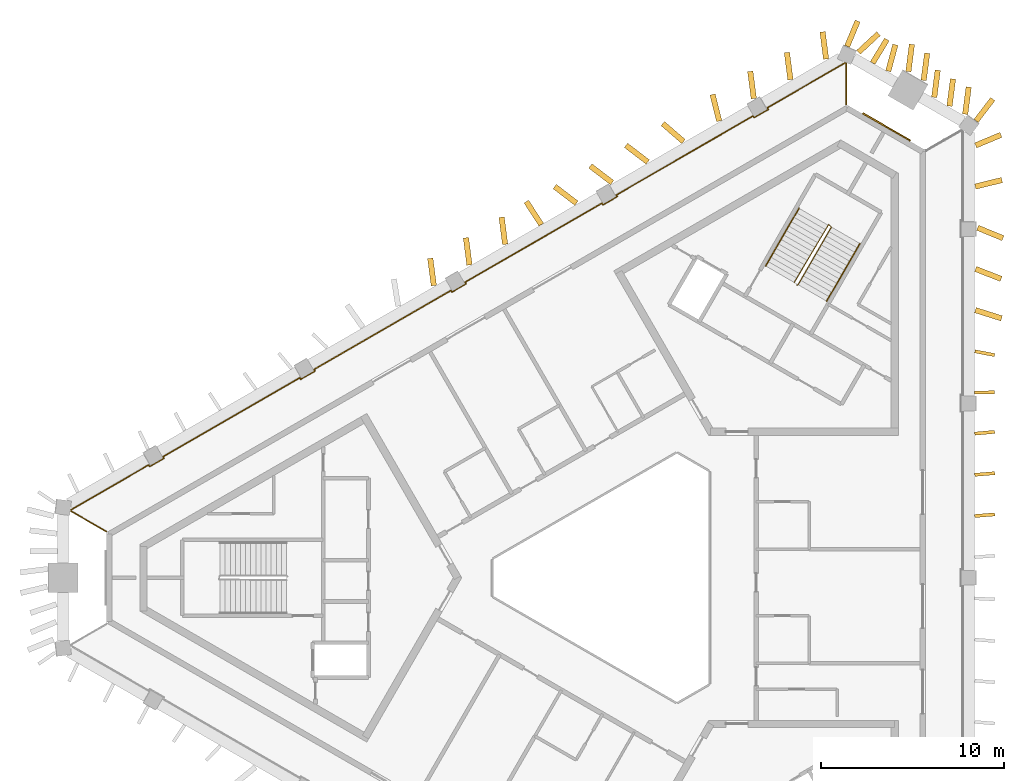
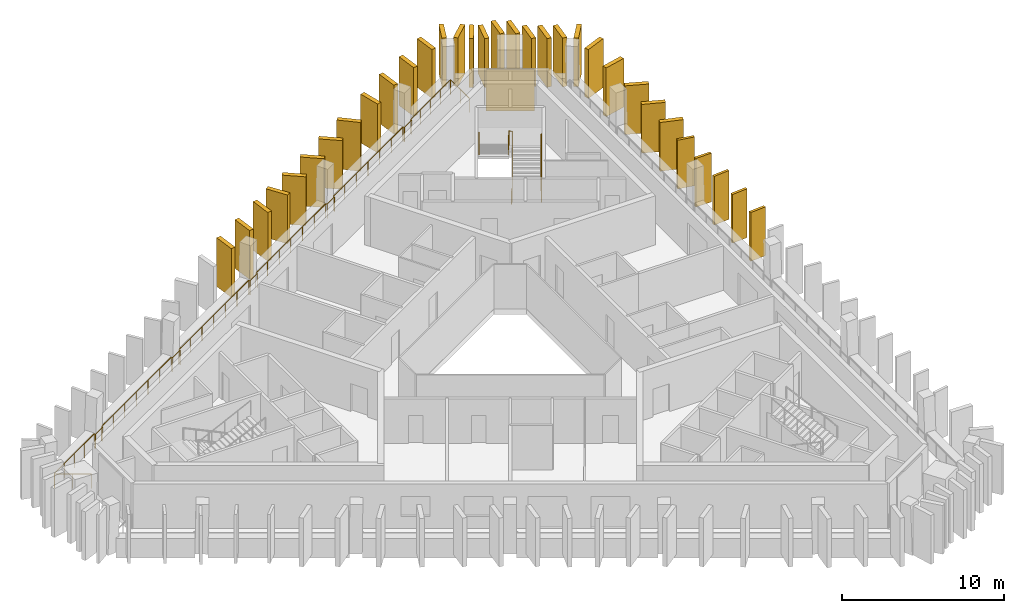
# One storey, part 8 of 8: 32 shading devices, 4 railings, 1 covering.
"""IFC4 building model written with IfcOpenShell, lengths in metres."""

from ifc_helpers import new_model, si_unit, direction, frame, frame_2d, origin, origin_2d, place, context, subcontext, project, spatial, rectangle, circle, extrude, material, layer, layer_set, type_object, element, save


model = new_model("IFC4")

# Units and contexts
model_context = context("Model", 3, precision=1e-05, world=origin(), true_north=direction((0.0, 1.0)))
body_context = subcontext(model_context, "Body", "Model", "MODEL_VIEW")
ifc_project = project(units=[si_unit("LENGTHUNIT", "METRE"), si_unit("AREAUNIT", "SQUARE_METRE"), si_unit("VOLUMEUNIT", "CUBIC_METRE"), si_unit("PLANEANGLEUNIT", "RADIAN"), si_unit("MASSUNIT", "GRAM", prefix="KILO")], contexts=[model_context])

# Site, building, storey
site_placement = place(None, origin())
site = spatial("IfcSite", under=ifc_project, at=site_placement, CompositionType="ELEMENT")
building_placement = place(site_placement, origin())
building = spatial("IfcBuilding", under=site, at=building_placement, Name="Jabali Bay Hotel Tower and Convention Centre", CompositionType="ELEMENT")
storey_placement = place(building_placement, frame((0.0, 0.0, 292.300048828125)))
storey = spatial("IfcBuildingStorey", under=building, at=storey_placement, Name="L72", CompositionType="ELEMENT", Elevation=292.300048828125)

# Railing
ifc_material_1 = material(Name="Glass", Category="glass")
railing_type_1 = type_object("IfcRailingType", Name="Loggia glass guard 1100", PredefinedType="BALUSTRADE", material=ifc_material_1)
railing_1_placement = place(storey_placement, frame((46.569091796875, 82.527587890625, 0.0)))
element("IfcRailing", 1, at=railing_1_placement, inside=storey, type_object=railing_type_1, Name="Loggia glass guard L72", PredefinedType="BALUSTRADE", context=body_context, shape_type="SweptSolid", body=[
    extrude(circle(Radius=0.02490234375, at=origin_2d()), frame((0.0, 0.0, 1.0751953125), z_axis=(-0.865989003036, 0.500063042646, 0.0), x_axis=(-0.495784933994, -0.858580347067, 0.13052619222)), (0.0, 0.0, 1.0), 2.275146484375),
    extrude(circle(Radius=0.02490234375, at=origin_2d()), frame((-1.97021484375, 1.1376953125, 1.0751953125), z_axis=(0.124843395554, 0.9921764594, 0.0), x_axis=(-0.983688252248, 0.123775342998, 0.13052619222)), (0.0, 0.0, 1.0), 0.037109375),
    extrude(circle(Radius=0.02490234375, at=origin_2d()), frame((-1.965576171875, 1.174560546875, 1.0751953125), z_axis=(0.866031611973, 0.499989246947, 0.0), x_axis=(-0.495711769628, 0.858622591478, 0.13052619222)), (0.0, 0.0, 1.0), 4.9375),
    extrude(circle(Radius=0.02490234375, at=origin_2d()), frame((2.310546875, 3.643310546875, 1.0751953125), z_axis=(0.501132629342, -0.865370491644, 0.0), x_axis=(0.857967127125, 0.496845370228, 0.13052619222)), (0.0, 0.0, 1.0), 0.099853515625),
    extrude(circle(Radius=0.02490234375, at=origin_2d()), frame((2.360595703125, 3.556884765625, 1.0751953125), z_axis=(0.866013897511, 0.50001992892, 0.0), x_axis=(-0.495742189112, 0.858605028566, 0.13052619222)), (0.0, 0.0, 1.0), 0.89990234375),
    extrude(circle(Radius=0.02490234375, at=origin_2d()), frame((3.139892578125, 4.0068359375, 1.0751953125), z_axis=(-0.500074377092, 0.865982457891, 0.0), x_axis=(-0.858573857916, -0.495796171473, 0.13052619222)), (0.0, 0.0, 1.0), 0.10009765625),
    extrude(circle(Radius=0.02490234375, at=origin_2d()), frame((3.08984375, 4.093505859375, 1.0751953125), z_axis=(0.866030352146, 0.499991429088, 0.0), x_axis=(-0.4957139331, 0.858621342429, 0.13052619222)), (0.0, 0.0, 1.0), 8.642822265625),
    extrude(circle(Radius=0.02490234375, at=origin_2d()), frame((10.57470703125, 8.414794921875, 1.0751953125), z_axis=(0.500074377092, -0.865982457891, 0.0), x_axis=(0.858573857916, 0.495796171473, 0.13052619222)), (0.0, 0.0, 1.0), 0.10009765625),
    extrude(circle(Radius=0.02490234375, at=origin_2d()), frame((10.624755859375, 8.328125, 1.0751953125), z_axis=(0.866081705922, 0.499902469156, 0.0), x_axis=(-0.495625734232, 0.858672256866, 0.13052619222)), (0.0, 0.0, 1.0), 0.900146484375),
    extrude(circle(Radius=0.02490234375, at=origin_2d()), frame((11.404296875, 8.778076171875, 1.0751953125), z_axis=(-0.500074377092, 0.865982457891, 0.0), x_axis=(-0.858573857916, -0.495796171473, 0.13052619222)), (0.0, 0.0, 1.0), 0.10009765625),
    extrude(circle(Radius=0.02490234375, at=origin_2d()), frame((11.354248046875, 8.86474609375, 1.0751953125), z_axis=(0.866023290103, 0.500003660985, 0.0), x_axis=(-0.495726060352, 0.858614340803, 0.13052619222)), (0.0, 0.0, 1.0), 8.642578125),
    extrude(circle(Radius=0.02490234375, at=origin_2d()), frame((18.8388671875, 13.18603515625, 1.0751953125), z_axis=(0.501132629342, -0.865370491644, 0.0), x_axis=(0.857967127125, 0.496845370228, 0.13052619222)), (0.0, 0.0, 1.0), 0.099853515625),
    extrude(circle(Radius=0.02490234375, at=origin_2d()), frame((18.888916015625, 13.099609375, 1.0751953125), z_axis=(0.866081705922, 0.499902469156, 0.0), x_axis=(-0.495625734232, 0.858672256866, 0.13052619222)), (0.0, 0.0, 1.0), 0.900146484375),
    extrude(circle(Radius=0.02490234375, at=origin_2d()), frame((19.66845703125, 13.549560546875, 1.0751953125), z_axis=(-0.500074377092, 0.865982457891, 0.0), x_axis=(-0.858573857916, -0.495796171473, 0.13052619222)), (0.0, 0.0, 1.0), 0.10009765625),
    extrude(circle(Radius=0.02490234375, at=origin_2d()), frame((19.618408203125, 13.63623046875, 1.0751953125), z_axis=(0.866030352146, 0.499991429088, 0.0), x_axis=(-0.4957139331, 0.858621342429, 0.13052619222)), (0.0, 0.0, 1.0), 8.642822265625),
    extrude(circle(Radius=0.02490234375, at=origin_2d()), frame((27.103271484375, 17.95751953125, 1.0751953125), z_axis=(0.500074377092, -0.865982457891, 0.0), x_axis=(0.858573857916, 0.495796171473, 0.13052619222)), (0.0, 0.0, 1.0), 0.10009765625),
    extrude(circle(Radius=0.02490234375, at=origin_2d()), frame((27.1533203125, 17.870849609375, 1.0751953125), z_axis=(0.866013897511, 0.50001992892, 0.0), x_axis=(-0.495742189112, 0.858605028566, 0.13052619222)), (0.0, 0.0, 1.0), 0.89990234375),
    extrude(circle(Radius=0.02490234375, at=origin_2d()), frame((27.9326171875, 18.32080078125, 1.0751953125), z_axis=(-0.500074377092, 0.865982457891, 0.0), x_axis=(-0.858573857916, -0.495796171473, 0.13052619222)), (0.0, 0.0, 1.0), 0.10009765625),
    extrude(circle(Radius=0.02490234375, at=origin_2d()), frame((27.882568359375, 18.407470703125, 1.0751953125), z_axis=(0.866030352146, 0.499991429088, 0.0), x_axis=(-0.4957139331, 0.858621342429, 0.13052619222)), (0.0, 0.0, 1.0), 8.642822265625),
    extrude(circle(Radius=0.02490234375, at=origin_2d()), frame((35.367431640625, 22.728759765625, 1.0751953125), z_axis=(0.501132629342, -0.865370491644, 0.0), x_axis=(0.857967127125, 0.496845370228, 0.13052619222)), (0.0, 0.0, 1.0), 0.099853515625),
    extrude(circle(Radius=0.02490234375, at=origin_2d()), frame((35.41748046875, 22.642333984375, 1.0751953125), z_axis=(0.866013897511, 0.50001992892, 0.0), x_axis=(-0.495742189112, 0.858605028566, 0.13052619222)), (0.0, 0.0, 1.0), 0.89990234375),
    extrude(circle(Radius=0.02490234375, at=origin_2d()), frame((36.19677734375, 23.09228515625, 1.0751953125), z_axis=(-0.501132629342, 0.865370491644, 0.0), x_axis=(-0.857967127125, -0.496845370228, 0.13052619222)), (0.0, 0.0, 1.0), 0.099853515625),
    extrude(circle(Radius=0.02490234375, at=origin_2d()), frame((36.146728515625, 23.1787109375, 1.0751953125), z_axis=(0.86602256313, 0.500004920126, 0.0), x_axis=(-0.495727308721, 0.858613620049, 0.13052619222)), (0.0, 0.0, 1.0), 4.93798828125),
    extrude(circle(Radius=0.02490234375, at=origin_2d()), frame((40.423095703125, 25.647705078125, 1.0751953125), z_axis=(0.921511427465, -0.388351244432, 0.0), x_axis=(0.3850288457, 0.913627769457, 0.13052619222)), (0.0, 0.0, 1.0), 0.037109375),
    extrude(circle(Radius=0.02490234375, at=origin_2d()), frame((40.457275390625, 25.63330078125, 1.0751953125), z_axis=(0.0, -1.0, 0.0), x_axis=(0.991444861374, 0.0, 0.13052619222)), (0.0, 0.0, 1.0), 2.275146484375),
    extrude(circle(Radius=0.02001953125, at=origin_2d()), origin(), (0.0, 0.0, 1.0), 1.050048828125),
    extrude(circle(Radius=0.02001953125, at=origin_2d()), frame((-0.985107421875, 0.56884765625, 0.0)), (0.0, 0.0, 1.0), 1.050048828125),
    extrude(circle(Radius=0.02001953125, at=origin_2d()), frame((-1.97021484375, 1.1376953125, 0.0)), (0.0, 0.0, 1.0), 1.050048828125),
    extrude(circle(Radius=0.02001953125, at=origin_2d()), frame((-1.965576171875, 1.174560546875, 0.0)), (0.0, 0.0, 1.0), 1.050048828125),
    extrude(circle(Radius=0.02001953125, at=origin_2d()), frame((-0.896484375, 1.791748046875, 0.0)), (0.0, 0.0, 1.0), 1.050048828125),
    extrude(circle(Radius=0.02001953125, at=origin_2d()), frame((0.17236328125, 2.408935546875, 0.0)), (0.0, 0.0, 1.0), 1.050048828125),
    extrude(circle(Radius=0.02001953125, at=origin_2d()), frame((1.241455078125, 3.026123046875, 0.0)), (0.0, 0.0, 1.0), 1.050048828125),
    extrude(circle(Radius=0.02001953125, at=origin_2d()), frame((2.310546875, 3.643310546875, 0.0)), (0.0, 0.0, 1.0), 1.050048828125),
    extrude(circle(Radius=0.02001953125, at=origin_2d()), frame((2.360595703125, 3.556884765625, 0.0)), (0.0, 0.0, 1.0), 1.050048828125),
    extrude(circle(Radius=0.02001953125, at=origin_2d()), frame((3.139892578125, 4.0068359375, 0.0)), (0.0, 0.0, 1.0), 1.050048828125),
    extrude(circle(Radius=0.02001953125, at=origin_2d()), frame((3.08984375, 4.093505859375, 0.0)), (0.0, 0.0, 1.0), 1.050048828125),
    extrude(circle(Radius=0.02001953125, at=origin_2d()), frame((4.33740234375, 4.813720703125, 0.0)), (0.0, 0.0, 1.0), 1.050048828125),
    extrude(circle(Radius=0.02001953125, at=origin_2d()), frame((5.584716796875, 5.533935546875, 0.0)), (0.0, 0.0, 1.0), 1.050048828125),
    extrude(circle(Radius=0.02001953125, at=origin_2d()), frame((6.832275390625, 6.254150390625, 0.0)), (0.0, 0.0, 1.0), 1.050048828125),
    extrude(circle(Radius=0.02001953125, at=origin_2d()), frame((8.079833984375, 6.974365234375, 0.0)), (0.0, 0.0, 1.0), 1.050048828125),
    extrude(circle(Radius=0.02001953125, at=origin_2d()), frame((9.3271484375, 7.694580078125, 0.0)), (0.0, 0.0, 1.0), 1.050048828125),
    extrude(circle(Radius=0.02001953125, at=origin_2d()), frame((10.57470703125, 8.414794921875, 0.0)), (0.0, 0.0, 1.0), 1.050048828125),
    extrude(circle(Radius=0.02001953125, at=origin_2d()), frame((10.624755859375, 8.328125, 0.0)), (0.0, 0.0, 1.0), 1.050048828125),
    extrude(circle(Radius=0.02001953125, at=origin_2d()), frame((11.404296875, 8.778076171875, 0.0)), (0.0, 0.0, 1.0), 1.050048828125),
    extrude(circle(Radius=0.02001953125, at=origin_2d()), frame((11.354248046875, 8.86474609375, 0.0)), (0.0, 0.0, 1.0), 1.050048828125),
    extrude(circle(Radius=0.02001953125, at=origin_2d()), frame((12.6015625, 9.5849609375, 0.0)), (0.0, 0.0, 1.0), 1.050048828125),
    extrude(circle(Radius=0.02001953125, at=origin_2d()), frame((13.84912109375, 10.30517578125, 0.0)), (0.0, 0.0, 1.0), 1.050048828125),
    extrude(circle(Radius=0.02001953125, at=origin_2d()), frame((15.0966796875, 11.025390625, 0.0)), (0.0, 0.0, 1.0), 1.050048828125),
    extrude(circle(Radius=0.02001953125, at=origin_2d()), frame((16.343994140625, 11.74560546875, 0.0)), (0.0, 0.0, 1.0), 1.050048828125),
    extrude(circle(Radius=0.02001953125, at=origin_2d()), frame((17.59130859375, 12.4658203125, 0.0)), (0.0, 0.0, 1.0), 1.050048828125),
    extrude(circle(Radius=0.02001953125, at=origin_2d()), frame((18.8388671875, 13.18603515625, 0.0)), (0.0, 0.0, 1.0), 1.050048828125),
    extrude(circle(Radius=0.02001953125, at=origin_2d()), frame((18.888916015625, 13.099609375, 0.0)), (0.0, 0.0, 1.0), 1.050048828125),
    extrude(circle(Radius=0.02001953125, at=origin_2d()), frame((19.66845703125, 13.549560546875, 0.0)), (0.0, 0.0, 1.0), 1.050048828125),
    extrude(circle(Radius=0.02001953125, at=origin_2d()), frame((19.618408203125, 13.63623046875, 0.0)), (0.0, 0.0, 1.0), 1.050048828125),
    extrude(circle(Radius=0.02001953125, at=origin_2d()), frame((20.865966796875, 14.3564453125, 0.0)), (0.0, 0.0, 1.0), 1.050048828125),
    extrude(circle(Radius=0.02001953125, at=origin_2d()), frame((22.11328125, 15.07666015625, 0.0)), (0.0, 0.0, 1.0), 1.050048828125),
    extrude(circle(Radius=0.02001953125, at=origin_2d()), frame((23.36083984375, 15.796875, 0.0)), (0.0, 0.0, 1.0), 1.050048828125),
    extrude(circle(Radius=0.02001953125, at=origin_2d()), frame((24.6083984375, 16.51708984375, 0.0)), (0.0, 0.0, 1.0), 1.050048828125),
    extrude(circle(Radius=0.02001953125, at=origin_2d()), frame((25.855712890625, 17.2373046875, 0.0)), (0.0, 0.0, 1.0), 1.050048828125),
    extrude(circle(Radius=0.02001953125, at=origin_2d()), frame((27.103271484375, 17.95751953125, 0.0)), (0.0, 0.0, 1.0), 1.050048828125),
    extrude(circle(Radius=0.02001953125, at=origin_2d()), frame((27.1533203125, 17.870849609375, 0.0)), (0.0, 0.0, 1.0), 1.050048828125),
    extrude(circle(Radius=0.02001953125, at=origin_2d()), frame((27.9326171875, 18.32080078125, 0.0)), (0.0, 0.0, 1.0), 1.050048828125),
    extrude(circle(Radius=0.02001953125, at=origin_2d()), frame((27.882568359375, 18.407470703125, 0.0)), (0.0, 0.0, 1.0), 1.050048828125),
    extrude(circle(Radius=0.02001953125, at=origin_2d()), frame((29.130126953125, 19.127685546875, 0.0)), (0.0, 0.0, 1.0), 1.050048828125),
    extrude(circle(Radius=0.02001953125, at=origin_2d()), frame((30.37744140625, 19.847900390625, 0.0)), (0.0, 0.0, 1.0), 1.050048828125),
    extrude(circle(Radius=0.02001953125, at=origin_2d()), frame((31.625, 20.568115234375, 0.0)), (0.0, 0.0, 1.0), 1.050048828125),
    extrude(circle(Radius=0.02001953125, at=origin_2d()), frame((32.87255859375, 21.288330078125, 0.0)), (0.0, 0.0, 1.0), 1.050048828125),
    extrude(circle(Radius=0.02001953125, at=origin_2d()), frame((34.119873046875, 22.008544921875, 0.0)), (0.0, 0.0, 1.0), 1.050048828125),
    extrude(circle(Radius=0.02001953125, at=origin_2d()), frame((35.367431640625, 22.728759765625, 0.0)), (0.0, 0.0, 1.0), 1.050048828125),
    extrude(circle(Radius=0.02001953125, at=origin_2d()), frame((35.41748046875, 22.642333984375, 0.0)), (0.0, 0.0, 1.0), 1.050048828125),
    extrude(circle(Radius=0.02001953125, at=origin_2d()), frame((36.19677734375, 23.09228515625, 0.0)), (0.0, 0.0, 1.0), 1.050048828125),
    extrude(circle(Radius=0.02001953125, at=origin_2d()), frame((36.146728515625, 23.1787109375, 0.0)), (0.0, 0.0, 1.0), 1.050048828125),
    extrude(circle(Radius=0.02001953125, at=origin_2d()), frame((37.2158203125, 23.7958984375, 0.0)), (0.0, 0.0, 1.0), 1.050048828125),
    extrude(circle(Radius=0.02001953125, at=origin_2d()), frame((38.284912109375, 24.4130859375, 0.0)), (0.0, 0.0, 1.0), 1.050048828125),
    extrude(circle(Radius=0.02001953125, at=origin_2d()), frame((39.35400390625, 25.030517578125, 0.0)), (0.0, 0.0, 1.0), 1.050048828125),
    extrude(circle(Radius=0.02001953125, at=origin_2d()), frame((40.423095703125, 25.647705078125, 0.0)), (0.0, 0.0, 1.0), 1.050048828125),
    extrude(circle(Radius=0.02001953125, at=origin_2d()), frame((40.457275390625, 25.63330078125, 0.0)), (0.0, 0.0, 1.0), 1.050048828125),
    extrude(circle(Radius=0.02001953125, at=origin_2d()), frame((40.457275390625, 24.49560546875, 0.0)), (0.0, 0.0, 1.0), 1.050048828125),
    extrude(circle(Radius=0.02001953125, at=origin_2d()), frame((40.457275390625, 23.358154296875, 0.0)), (0.0, 0.0, 1.0), 1.050048828125),
])

# Shading devices
ifc_material_2 = material(Name="Precast concrete C60", Category="concrete")
ifc_layer_1 = layer(ifc_material_2, 0.179931640625)
ifc_layer_set_1 = layer_set([ifc_layer_1], Name="Precast concrete C60")
shading_device_type_1 = type_object("IfcShadingDeviceType", Name="Precast fin 3680 x 1100", PredefinedType="USERDEFINED", material=ifc_layer_set_1)
for number, where, z_axis, x_axis, name in (
    (2, (94.05419921875, 83.378173828125, 0.010009765625), (0.0, 0.0, 1.0), (0.996767109355, 0.080345066486, 0.0), "Fin L72 012"),
    (3, (94.05419921875, 85.630126953125, 0.010009765625), (0.0, 0.0, 1.0), (0.996586955608, 0.082549620905, 0.0), "Fin L72 013"),
):
    element("IfcShadingDevice", number, at=place(storey_placement, frame(where, z_axis=z_axis, x_axis=x_axis)), inside=storey, type_object=shading_device_type_1, Name=name, ObjectType="FIN", PredefinedType="USERDEFINED", context=body_context, shape_type="SweptSolid", body=[
        extrude(rectangle(XDim=1.10009765625, YDim=0.179931640625, at=frame_2d((0.550048828125, 0.0))), origin(), (0.0, 0.0, 1.0), 3.679931640625),
    ])
shading_device_1_placement = place(storey_placement, frame((94.054931640625, 87.882080078125, 0.010009765625), z_axis=(0.0, 0.0, 1.0), x_axis=(0.995971069315, 0.089675130823, 0.0)))
element("IfcShadingDevice", 4, at=shading_device_1_placement, inside=storey, type_object=shading_device_type_1, Name="Fin L72 014", ObjectType="FIN", PredefinedType="USERDEFINED", context=body_context, shape_type="SweptSolid", body=[
    extrude(rectangle(XDim=1.099853515625, YDim=0.179931640625, at=frame_2d((0.5498046875, 0.0))), origin(), (0.0, 0.0, 1.0), 3.679931640625),
])
shading_device_2_placement = place(storey_placement, frame((94.04736328125, 90.13427734375, 0.010009765625), z_axis=(0.0, 0.0, 1.0), x_axis=(0.999980694053, 0.006213817007, 0.0)))
element("IfcShadingDevice", 5, at=shading_device_2_placement, inside=storey, type_object=shading_device_type_1, Name="Fin L72 015", ObjectType="FIN", PredefinedType="USERDEFINED", context=body_context, shape_type="SweptSolid", body=[
    extrude(rectangle(XDim=1.10009765625, YDim=0.179931640625, at=frame_2d((0.550048828125, 0.0))), origin(), (0.0, 0.0, 1.0), 3.679931640625),
])
shading_device_3_placement = place(storey_placement, frame((94.06396484375, 92.38623046875, 0.010009765625), z_axis=(0.0, 0.0, 1.0), x_axis=(0.98195575006, -0.189110827091, 0.0)))
element("IfcShadingDevice", 6, at=shading_device_3_placement, inside=storey, type_object=shading_device_type_1, Name="Fin L72 016", ObjectType="FIN", PredefinedType="USERDEFINED", context=body_context, shape_type="SweptSolid", body=[
    extrude(rectangle(XDim=1.099853515625, YDim=0.179931640625, at=frame_2d((0.5498046875, 0.0))), origin(), (0.0, 0.0, 1.0), 3.679931640625),
])
ifc_layer_2 = layer(ifc_material_2, 0.300048828125)
ifc_layer_set_2 = layer_set([ifc_layer_2], Name="Precast concrete C60")
shading_device_type_2 = type_object("IfcShadingDeviceType", Name="Precast fin 3680 x 1500", PredefinedType="USERDEFINED", material=ifc_layer_set_2)
shading_device_4_placement = place(storey_placement, frame((94.092041015625, 94.638427734375, 0.010009765625), z_axis=(0.0, 0.0, 1.0), x_axis=(0.953437424927, -0.301590909592, 0.0)))
element("IfcShadingDevice", 7, at=shading_device_4_placement, inside=storey, type_object=shading_device_type_2, Name="Fin L72 017", ObjectType="FIN", PredefinedType="USERDEFINED", context=body_context, shape_type="SweptSolid", body=[
    extrude(rectangle(XDim=1.5, YDim=0.300048828125, at=frame_2d((0.75, 0.0))), origin(), (0.0, 0.0, 1.0), 3.679931640625),
])
shading_device_5_placement = place(storey_placement, frame((94.101318359375, 96.890380859375, 0.010009765625), z_axis=(0.0, 0.0, 1.0), x_axis=(0.931564175622, -0.363576933672, 0.0)))
element("IfcShadingDevice", 8, at=shading_device_5_placement, inside=storey, type_object=shading_device_type_2, Name="Fin L72 018", ObjectType="FIN", PredefinedType="USERDEFINED", context=body_context, shape_type="SweptSolid", body=[
    extrude(rectangle(XDim=1.500244140625, YDim=0.300048828125, at=frame_2d((0.75, 0.0))), origin(), (0.0, 0.0, 1.0), 3.679931640625),
])
shading_device_6_placement = place(storey_placement, frame((94.21142578125, 99.142333984375, 0.010009765625), z_axis=(0.0, 0.0, 1.0), x_axis=(0.924886965979, -0.380242159896, 0.0)))
element("IfcShadingDevice", 9, at=shading_device_6_placement, inside=storey, type_object=shading_device_type_2, Name="Fin L72 019", ObjectType="FIN", PredefinedType="USERDEFINED", context=body_context, shape_type="SweptSolid", body=[
    extrude(rectangle(XDim=1.499755859375, YDim=0.300048828125, at=frame_2d((0.75, 0.0))), origin(), (0.0, 0.0, 1.0), 3.679931640625),
])
for number, where, z_axis, x_axis, name in (
    (10, (94.08251953125, 101.39453125, 0.010009765625), (0.0, 0.0, 1.0), (0.971355607667, 0.237630560857, 0.0), "Fin L72 020"),
    (11, (94.1044921875, 103.646484375, 0.010009765625), (0.0, 0.0, 1.0), (0.923211702523, 0.384291754171, 0.0), "Fin L72 021"),
    (12, (93.5322265625, 105.3515625, 0.010009765625), (0.0, 0.0, 1.0), (0.128580707026, 0.991699047988, 0.0), "Fin L72 022"),
    (13, (92.674560546875, 105.793701171875, 0.010009765625), (0.0, 0.0, 1.0), (0.128580707026, 0.991699047988, 0.0), "Fin L72 023"),
    (14, (91.83984375, 106.275634765625, 0.010009765625), (0.0, 0.0, 1.0), (0.128580707026, 0.991699047988, 0.0), "Fin L72 024"),
    (15, (91.261474609375, 107.20166015625, 0.010009765625), (0.0, 0.0, 1.0), (0.128580707026, 0.991699047988, 0.0), "Fin L72 025"),
    (16, (90.4267578125, 107.68359375, 0.010009765625), (0.0, 0.0, 1.0), (0.128580707026, 0.991699047988, 0.0), "Fin L72 026"),
    (17, (89.326171875, 107.705078125, 0.010009765625), (0.0, 0.0, 1.0), (0.25912115948, 0.965844824343, 0.0), "Fin L72 027"),
    (18, (88.4736328125, 108.15625, 0.010009765625), (0.0, 0.0, 1.0), (0.517771329542, 0.855519053151, 0.0), "Fin L72 028"),
):
    element("IfcShadingDevice", number, at=place(storey_placement, frame(where, z_axis=z_axis, x_axis=x_axis)), inside=storey, type_object=shading_device_type_2, Name=name, ObjectType="FIN", PredefinedType="USERDEFINED", context=body_context, shape_type="SweptSolid", body=[
        extrude(rectangle(XDim=1.5, YDim=0.300048828125, at=frame_2d((0.75, 0.0))), origin(), (0.0, 0.0, 1.0), 3.679931640625),
    ])
shading_device_7_placement = place(storey_placement, frame((87.6962890625, 108.73779296875, 0.010009765625), z_axis=(0.0, 0.0, 1.0), x_axis=(0.732828276186, 0.680413637152, 0.0)))
element("IfcShadingDevice", 19, at=shading_device_7_placement, inside=storey, type_object=shading_device_type_2, Name="Fin L72 029", ObjectType="FIN", PredefinedType="USERDEFINED", context=body_context, shape_type="SweptSolid", body=[
    extrude(rectangle(XDim=1.499755859375, YDim=0.300048828125, at=frame_2d((0.75, 0.0))), origin(), (0.0, 0.0, 1.0), 3.679931640625),
])
for number, where, z_axis, x_axis, name in (
    (20, (85.92626953125, 108.3681640625, 0.010009765625), (0.0, 0.0, 1.0), (-0.128580707026, 0.991699047988, 0.0), "Fin L72 030"),
    (21, (83.975830078125, 107.2421875, 0.010009765625), (0.0, 0.0, 1.0), (-0.128580707026, 0.991699047988, 0.0), "Fin L72 031"),
    (22, (81.971923828125, 106.209228515625, 0.010009765625), (0.0, 0.0, 1.0), (-0.128580707026, 0.991699047988, 0.0), "Fin L72 032"),
):
    element("IfcShadingDevice", number, at=place(storey_placement, frame(where, z_axis=z_axis, x_axis=x_axis)), inside=storey, type_object=shading_device_type_2, Name=name, ObjectType="FIN", PredefinedType="USERDEFINED", context=body_context, shape_type="SweptSolid", body=[
        extrude(rectangle(XDim=1.5, YDim=0.300048828125, at=frame_2d((0.75, 0.0))), origin(), (0.0, 0.0, 1.0), 3.679931640625),
    ])
shading_device_8_placement = place(storey_placement, frame((80.08349609375, 104.975830078125, 0.010009765625), z_axis=(0.0, 0.0, 1.0), x_axis=(-0.243837610071, 0.969816075302, 0.0)))
element("IfcShadingDevice", 23, at=shading_device_8_placement, inside=storey, type_object=shading_device_type_2, Name="Fin L72 033", ObjectType="FIN", PredefinedType="USERDEFINED", context=body_context, shape_type="SweptSolid", body=[
    extrude(rectangle(XDim=1.499755859375, YDim=0.300048828125, at=frame_2d((0.75, 0.0))), origin(), (0.0, 0.0, 1.0), 3.679931640625),
])
for number, where, z_axis, x_axis, name in (
    (24, (78.129150390625, 103.856689453125, 0.010009765625), (0.0, 0.0, 1.0), (-0.756134610366, 0.654416114568, 0.0), "Fin L72 034"),
    (25, (76.174560546875, 102.738037109375, 0.010009765625), (0.0, 0.0, 1.0), (-0.794477939917, 0.607293012462, 0.0), "Fin L72 035"),
    (26, (74.224365234375, 101.612060546875, 0.010009765625), (0.0, 0.0, 1.0), (-0.794537958448, 0.607214486475, 0.0), "Fin L72 036"),
    (27, (72.27392578125, 100.486083984375, 0.010009765625), (0.0, 0.0, 1.0), (-0.794537958448, 0.607214486475, 0.0), "Fin L72 037"),
    (28, (70.348388671875, 99.31689453125, 0.010009765625), (0.0, 0.0, 1.0), (-0.544782371932, 0.838577466446, 0.0), "Fin L72 038"),
    (29, (68.373291015625, 98.234130859375, 0.010009765625), (0.0, 0.0, 1.0), (-0.128740771471, 0.99167828138, 0.0), "Fin L72 039"),
    (30, (66.4228515625, 97.10791015625, 0.010009765625), (0.0, 0.0, 1.0), (-0.128740771471, 0.99167828138, 0.0), "Fin L72 040"),
):
    element("IfcShadingDevice", number, at=place(storey_placement, frame(where, z_axis=z_axis, x_axis=x_axis)), inside=storey, type_object=shading_device_type_2, Name=name, ObjectType="FIN", PredefinedType="USERDEFINED", context=body_context, shape_type="SweptSolid", body=[
        extrude(rectangle(XDim=1.5, YDim=0.300048828125, at=frame_2d((0.75, 0.0))), origin(), (0.0, 0.0, 1.0), 3.679931640625),
    ])
shading_device_9_placement = place(storey_placement, frame((64.47265625, 95.98193359375, 0.010009765625), z_axis=(0.0, 0.0, 1.0), x_axis=(-0.129902861053, 0.991526725152, 0.0)))
element("IfcShadingDevice", 31, at=shading_device_9_placement, inside=storey, type_object=shading_device_type_2, Name="Fin L72 041", ObjectType="FIN", PredefinedType="USERDEFINED", context=body_context, shape_type="SweptSolid", body=[
    extrude(rectangle(XDim=1.499755859375, YDim=0.300048828125, at=frame_2d((0.75, 0.0))), origin(), (0.0, 0.0, 1.0), 3.679931640625),
])
for number, where, z_axis, x_axis, name in (
    (32, (94.130859375, 104.989990234375, 0.010009765625), (0.0, 0.0, 1.0), (0.607293012462, 0.794477939917, 0.0), "Fin L72 091"),
    (33, (87.076416015625, 109.062744140625, 0.010009765625), (0.0, 0.0, 1.0), (0.38443047029, 0.923153948977, 0.0), "Fin L72 092"),
):
    element("IfcShadingDevice", number, at=place(storey_placement, frame(where, z_axis=z_axis, x_axis=x_axis)), inside=storey, type_object=shading_device_type_2, Name=name, ObjectType="FIN", PredefinedType="USERDEFINED", context=body_context, shape_type="SweptSolid", body=[
        extrude(rectangle(XDim=1.5, YDim=0.300048828125, at=frame_2d((0.75, 0.0))), origin(), (0.0, 0.0, 1.0), 3.679931640625),
    ])

# Covering
ifc_material_3 = material(Name="Precast concrete C40/50", Category="concrete")
ifc_layer_3 = layer(ifc_material_3, 0.080078125)
ifc_layer_set_3 = layer_set([ifc_layer_3], Name="Precast concrete C40/50")
covering_type = type_object("IfcCoveringType", Name="Relief panel 3000 x 3150", PredefinedType="CLADDING", material=ifc_layer_set_3)
covering_placement = place(storey_placement, frame((89.2353515625, 104.656494140625, 0.10009765625), z_axis=(0.0, 0.0, 1.0), x_axis=(0.866025331249, -0.500000125636, 0.0)))
element("IfcCovering", 34, at=covering_placement, inside=storey, type_object=covering_type, Name="Relief panel L72", PredefinedType="CLADDING", context=body_context, shape_type="SweptSolid", body=[
    extrude(rectangle(XDim=3.0, YDim=0.080078125, at=origin_2d()), origin(), (0.0, 0.0, 1.0), 3.14990234375),
])

# Railings
ifc_material_4 = material(Name="Steel Q355B", Category="steel")
railing_type_2 = type_object("IfcRailingType", Name="Stair guard 1100", PredefinedType="GUARDRAIL", material=ifc_material_4)
railing_2_placement = place(storey_placement, frame((84.329833984375, 96.010009765625, 0.0)))
element("IfcRailing", 35, at=railing_2_placement, inside=storey, type_object=railing_type_2, Name="L72 ST2 stair guard 1", PredefinedType="GUARDRAIL", context=body_context, shape_type="SweptSolid", body=[
    extrude(circle(Radius=0.02392578125, at=origin_2d()), frame((0.0, 0.0, 1.076171875), z_axis=(0.456201556387, 0.122196845461, 0.881446578591), x_axis=(-0.258736085224, 0.965948051503, 0.0)), (0.0, 0.0, 1.0), 0.14990234375),
    extrude(circle(Radius=0.02392578125, at=origin_2d()), frame((0.068359375, 0.018310546875, 1.2080078125), z_axis=(0.452190331055, 0.783190014029, 0.426775475427), x_axis=(-0.866018046521, 0.500012742938, 0.0)), (0.0, 0.0, 1.0), 4.02490234375),
    extrude(circle(Radius=0.02392578125, at=origin_2d()), frame((1.888427734375, 3.170654296875, 2.92578125), z_axis=(-0.718850276695, 0.695164929852, 0.0), x_axis=(-0.695164929852, -0.718850276695, 0.0)), (0.0, 0.0, 1.0), 0.2060546875),
    extrude(circle(Radius=0.02392578125, at=origin_2d()), frame((1.740234375, 3.31396484375, 2.92578125), z_axis=(-0.457445338502, -0.768046879266, 0.448160410493), x_axis=(0.859157857954, -0.511710636118, 0.0)), (0.0, 0.0, 1.0), 4.128173828125),
    extrude(circle(Radius=0.02099609375, at=origin_2d()), origin(), (0.0, 0.0, 1.0), 1.052001953125),
    extrude(circle(Radius=0.02099609375, at=origin_2d()), frame((0.068359375, 0.018310546875, 0.132080078125)), (0.0, 0.0, 1.0), 1.052001953125),
    extrude(circle(Radius=0.02099609375, at=origin_2d()), frame((0.5234375, 0.806396484375, 0.5615234375)), (0.0, 0.0, 1.0), 1.052001953125),
    extrude(circle(Radius=0.02099609375, at=origin_2d()), frame((0.978515625, 1.594482421875, 0.990966796875)), (0.0, 0.0, 1.0), 1.052001953125),
    extrude(circle(Radius=0.02099609375, at=origin_2d()), frame((1.433349609375, 2.382568359375, 1.42041015625)), (0.0, 0.0, 1.0), 1.052001953125),
    extrude(circle(Radius=0.02099609375, at=origin_2d()), frame((1.888427734375, 3.170654296875, 1.849853515625)), (0.0, 0.0, 1.0), 1.052001953125),
    extrude(circle(Radius=0.02099609375, at=origin_2d()), frame((1.740234375, 3.31396484375, 1.849853515625)), (0.0, 0.0, 1.0), 1.052001953125),
    extrude(circle(Radius=0.02099609375, at=origin_2d()), frame((1.26806640625, 2.521240234375, 2.3125)), (0.0, 0.0, 1.0), 1.052001953125),
    extrude(circle(Radius=0.02099609375, at=origin_2d()), frame((0.7958984375, 1.728515625, 2.77490234375)), (0.0, 0.0, 1.0), 1.052001953125),
    extrude(circle(Radius=0.02099609375, at=origin_2d()), frame((0.323974609375, 0.93603515625, 3.2373046875)), (0.0, 0.0, 1.0), 1.052001953125),
    extrude(circle(Radius=0.02099609375, at=origin_2d()), frame((-0.148193359375, 0.143310546875, 3.699951171875)), (0.0, 0.0, 1.0), 1.052001953125),
])
railing_type_3 = type_object("IfcRailingType", Name="Stair handrail 900", PredefinedType="HANDRAIL", material=ifc_material_4)
railing_3_placement = place(storey_placement, frame((85.95703125, 95.128173828125, 0.132080078125)))
element("IfcRailing", 36, at=railing_3_placement, inside=storey, type_object=railing_type_3, Name="L72 ST2 stair handrail 1", PredefinedType="HANDRAIL", context=body_context, shape_type="SweptSolid", body=[
    extrude(circle(Radius=0.02392578125, at=origin_2d()), frame((0.0, 0.0, 0.8759765625), z_axis=(0.452190331055, 0.783190014029, 0.426775475427), x_axis=(-0.866018046521, 0.500012742938, 0.0)), (0.0, 0.0, 1.0), 4.02490234375),
    extrude(circle(Radius=0.02099609375, at=origin_2d()), origin(), (0.0, 0.0, 1.0), 0.851806640625),
    extrude(circle(Radius=0.02099609375, at=origin_2d()), frame((0.455078125, 0.7880859375, 0.429443359375)), (0.0, 0.0, 1.0), 0.851806640625),
    extrude(circle(Radius=0.02099609375, at=origin_2d()), frame((0.91015625, 1.576171875, 0.85888671875)), (0.0, 0.0, 1.0), 0.851806640625),
    extrude(circle(Radius=0.02099609375, at=origin_2d()), frame((1.364990234375, 2.3642578125, 1.288330078125)), (0.0, 0.0, 1.0), 0.851806640625),
    extrude(circle(Radius=0.02099609375, at=origin_2d()), frame((1.820068359375, 3.15234375, 1.7177734375)), (0.0, 0.0, 1.0), 0.851806640625),
])
railing_4_placement = place(storey_placement, frame((84.44287109375, 100.20556640625, 1.982177734375)))
element("IfcRailing", 37, at=railing_4_placement, inside=storey, type_object=railing_type_3, Name="L72 ST2 stair handrail 2", PredefinedType="HANDRAIL", context=body_context, shape_type="SweptSolid", body=[
    extrude(circle(Radius=0.02392578125, at=origin_2d()), frame((0.0, 0.0, 0.8759765625), z_axis=(-0.452190331055, -0.783190014029, 0.426775475427), x_axis=(0.866018046521, -0.500012742938, 0.0)), (0.0, 0.0, 1.0), 4.02490234375),
    extrude(circle(Radius=0.02099609375, at=origin_2d()), origin(), (0.0, 0.0, 1.0), 0.851806640625),
    extrude(circle(Radius=0.02099609375, at=origin_2d()), frame((-0.455078125, -0.7880859375, 0.429443359375)), (0.0, 0.0, 1.0), 0.851806640625),
    extrude(circle(Radius=0.02099609375, at=origin_2d()), frame((-0.91015625, -1.576171875, 0.85888671875)), (0.0, 0.0, 1.0), 0.851806640625),
    extrude(circle(Radius=0.02099609375, at=origin_2d()), frame((-1.364990234375, -2.3642578125, 1.288330078125)), (0.0, 0.0, 1.0), 0.851806640625),
    extrude(circle(Radius=0.02099609375, at=origin_2d()), frame((-1.820068359375, -3.15234375, 1.7177734375)), (0.0, 0.0, 1.0), 0.851806640625),
])

save(model, "model.ifc")
